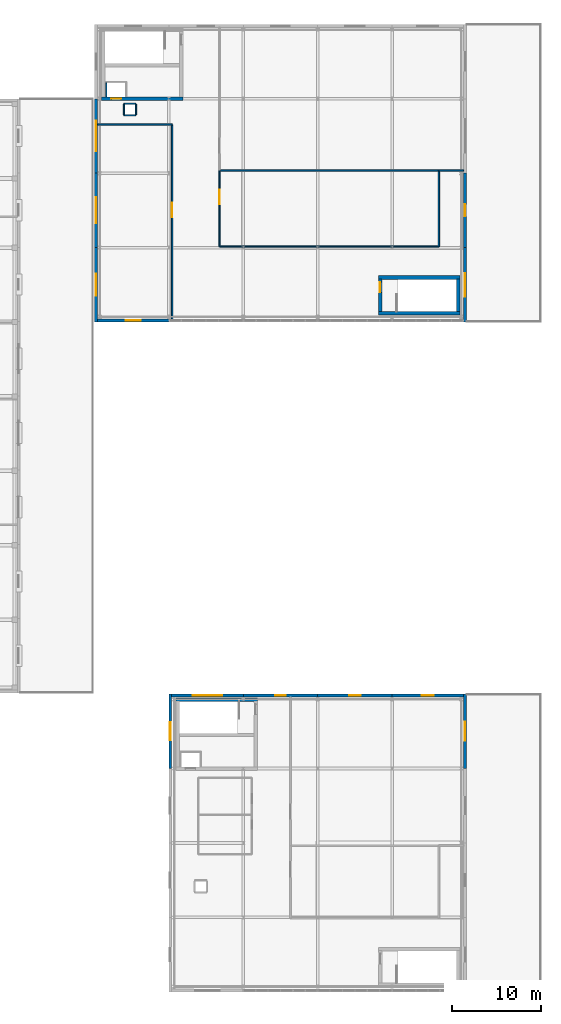
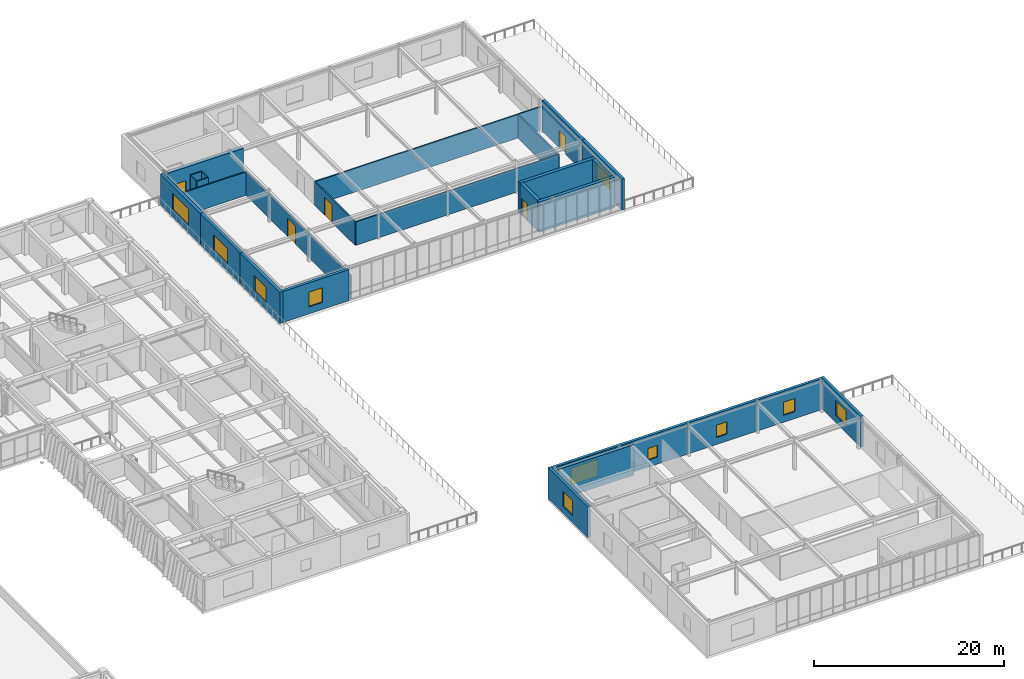
# One storey, part 112 of 127: 30 walls, 11 windows, 5 doors, 16 openings.
"""IFC4 building model written with IfcOpenShell, lengths in metres."""

from ifc_helpers import new_model, si_unit, direction, frame, frame_2d, origin, place, context, subcontext, project, spatial, rectangle, extrude, material, layer, layer_set, type_object, element, fill, save


model = new_model("IFC4")

# Units and contexts
model_context = context("Model", 3, precision=1e-05, world=origin(), true_north=direction((0.0, 1.0)))
body_context = subcontext(model_context, "Body", "Model", "MODEL_VIEW")
ifc_project = project(units=[si_unit("LENGTHUNIT", "METRE"), si_unit("AREAUNIT", "SQUARE_METRE"), si_unit("VOLUMEUNIT", "CUBIC_METRE"), si_unit("PLANEANGLEUNIT", "RADIAN"), si_unit("MASSUNIT", "GRAM", prefix="KILO")], contexts=[model_context])

# Site, building, storey
site_placement = place(None, origin())
site = spatial("IfcSite", under=ifc_project, at=site_placement, CompositionType="ELEMENT")
building_placement = place(site_placement, origin())
building = spatial("IfcBuilding", under=site, at=building_placement, Name="Zayran Congress Hotel", CompositionType="ELEMENT")
storey_placement = place(building_placement, frame((0.0, 0.0, 10.800048828125)))
storey = spatial("IfcBuildingStorey", under=building, at=storey_placement, Name="L02", CompositionType="ELEMENT", Elevation=10.800048828125)

# Wall, opening, window
ifc_material_1 = material(Name="Hajar Ma'ani limestone and insulated concrete C32/40", Category="masonry")
ifc_layer_1 = layer(ifc_material_1, 0.340087890625)
ifc_layer_set_1 = layer_set([ifc_layer_1], Name="Hajar Ma'ani limestone and insulated concrete C32/40")
wall_type_1 = type_object("IfcWallType", Name="WL-EX-340", PredefinedType="SOLIDWALL", material=ifc_layer_set_1)
wall_1_placement = place(storey_placement, frame((151.199951171875, 84.570068359375, 0.0), z_axis=(0.0, 0.0, 1.0), x_axis=(-1.0, 0.0, 0.0)))
wall_1 = element("IfcWall", 1, at=wall_1_placement, inside=storey, type_object=wall_type_1, Name="EW-V2-S-L02-0", PredefinedType="SOLIDWALL", context=body_context, shape_type="SweptSolid", body=[
    extrude(rectangle(XDim=8.06005859375, YDim=0.340087890625, at=frame_2d((4.030029296875, 0.0))), origin(), (0.0, 0.0, 1.0), 4.0),
])
opening_1_placement = place(wall_1_placement, frame((3.18994140625, 0.0, 0.89990234375)))
opening_1 = element("IfcOpeningElement", 2, at=opening_1_placement, cuts=wall_1, Name="Opening WN-36", PredefinedType="OPENING", context=body_context, shape_type="SweptSolid", body=[
    extrude(rectangle(XDim=1.679931640625, YDim=1.89990234375, at=frame_2d((0.83984375, 0.949951171875))), frame((0.0, 0.179931640625, 0.0), z_axis=(0.0, -1.0, 0.0), x_axis=(1.0, 0.0, 0.0)), (0.0, 0.0, 1.0), 0.360107421875),
])
ifc_material_2 = material(Name="Anodised aluminium and low-E insulated glass", Category="aluminium")
window_type_1 = type_object("IfcWindowType", Name="TP-WN-36", PartitioningType="DOUBLE_PANEL_VERTICAL", PredefinedType="WINDOW", material=ifc_material_2)
window_1_placement = place(opening_1_placement, origin())
window_1 = element("IfcWindow", 3, at=window_1_placement, inside=storey, type_object=window_type_1, Name="WIN-V2-0042", OverallHeight=1.89990234375, OverallWidth=1.679931640625, PartitioningType="SINGLE_PANEL", PredefinedType="WINDOW", context=body_context, shape_type="SweptSolid", body=[
    extrude(rectangle(XDim=1.679931640625, YDim=1.89990234375, at=frame_2d((0.83984375, 0.949951171875))), frame((0.0, 0.030029296875, 0.0), z_axis=(0.0, -1.0, 0.0), x_axis=(1.0, 0.0, 0.0)), (0.0, 0.0, 1.0), 0.06005859375),
])
fill(opening_1, window_1)

wall_2_placement = place(storey_placement, frame((142.969970703125, 84.39990234375, 0.0), z_axis=(0.0, 0.0, 1.0), x_axis=(0.0, 1.0, 0.0)))
wall_2 = element("IfcWall", 4, at=wall_2_placement, inside=storey, type_object=wall_type_1, Name="EW-V2-W-L02-0", PredefinedType="SOLIDWALL", context=body_context, shape_type="SweptSolid", body=[
    extrude(rectangle(XDim=8.400146484375, YDim=0.340087890625, at=frame_2d((4.2001953125, 0.0))), origin(), (0.0, 0.0, 1.0), 4.0),
])
opening_2_placement = place(wall_2_placement, frame((2.9599609375, 0.0, 0.89990234375)))
opening_2 = element("IfcOpeningElement", 5, at=opening_2_placement, cuts=wall_2, Name="Opening WN-42", PredefinedType="OPENING", context=body_context, shape_type="SweptSolid", body=[
    extrude(rectangle(XDim=2.47998046875, YDim=2.0, at=frame_2d((1.239990234375, 1.0))), frame((0.0, 0.179931640625, 0.0), z_axis=(0.0, -1.0, 0.0), x_axis=(1.0, 0.0, 0.0)), (0.0, 0.0, 1.0), 0.360107421875),
])
window_type_2 = type_object("IfcWindowType", Name="TP-WN-42", PartitioningType="DOUBLE_PANEL_VERTICAL", PredefinedType="WINDOW", material=ifc_material_2)
window_2_placement = place(opening_2_placement, origin())
window_2 = element("IfcWindow", 6, at=window_2_placement, inside=storey, type_object=window_type_2, Name="WIN-V2-0048", OverallHeight=2.0, OverallWidth=2.47998046875, PartitioningType="SINGLE_PANEL", PredefinedType="WINDOW", context=body_context, shape_type="SweptSolid", body=[
    extrude(rectangle(XDim=2.47998046875, YDim=2.0, at=frame_2d((1.239990234375, 1.0))), frame((0.0, 0.030029296875, 0.0), z_axis=(0.0, -1.0, 0.0), x_axis=(1.0, 0.0, 0.0)), (0.0, 0.0, 1.0), 0.06005859375),
])
fill(opening_2, window_2)

wall_3_placement = place(storey_placement, frame((184.6298828125, 92.800048828125, 0.0), z_axis=(0.0, 0.0, 1.0), x_axis=(0.0, -1.0, 0.0)))
wall_3 = element("IfcWall", 7, at=wall_3_placement, inside=storey, type_object=wall_type_1, Name="EW-V2-E-L02-0", PredefinedType="SOLIDWALL", context=body_context, shape_type="SweptSolid", body=[
    extrude(rectangle(XDim=8.400146484375, YDim=0.340087890625, at=frame_2d((4.2001953125, 0.0))), origin(), (0.0, 0.0, 1.0), 4.0),
])
opening_3_placement = place(wall_3_placement, frame((2.875, 0.0, 0.89990234375)))
opening_3 = element("IfcOpeningElement", 8, at=opening_3_placement, cuts=wall_3, Name="Opening WN-43", PredefinedType="OPENING", context=body_context, shape_type="SweptSolid", body=[
    extrude(rectangle(XDim=2.64990234375, YDim=2.0, at=frame_2d((1.324951171875, 1.0))), frame((0.0, 0.179931640625, 0.0), z_axis=(0.0, -1.0, 0.0), x_axis=(1.0, 0.0, 0.0)), (0.0, 0.0, 1.0), 0.360107421875),
])
window_type_3 = type_object("IfcWindowType", Name="TP-WN-43", PartitioningType="TRIPLE_PANEL_VERTICAL", PredefinedType="WINDOW", material=ifc_material_2)
window_3_placement = place(opening_3_placement, origin())
window_3 = element("IfcWindow", 9, at=window_3_placement, inside=storey, type_object=window_type_3, Name="WIN-V2-0049", OverallHeight=2.0, OverallWidth=2.64990234375, PartitioningType="SINGLE_PANEL", PredefinedType="WINDOW", context=body_context, shape_type="SweptSolid", body=[
    extrude(rectangle(XDim=2.64990234375, YDim=2.0, at=frame_2d((1.324951171875, 1.0))), frame((0.0, 0.030029296875, 0.0), z_axis=(0.0, -1.0, 0.0), x_axis=(1.0, 0.0, 0.0)), (0.0, 0.0, 1.0), 0.06005859375),
])
fill(opening_3, window_3)

wall_4_placement = place(storey_placement, frame((142.969970703125, 92.800048828125, 0.0), z_axis=(0.0, 0.0, 1.0), x_axis=(0.0, 1.0, 0.0)))
wall_4 = element("IfcWall", 10, at=wall_4_placement, inside=storey, type_object=wall_type_1, Name="EW-V2-W-L02-1", PredefinedType="SOLIDWALL", context=body_context, shape_type="SweptSolid", body=[
    extrude(rectangle(XDim=8.39990234375, YDim=0.340087890625, at=frame_2d((4.199951171875, 0.0))), origin(), (0.0, 0.0, 1.0), 4.0),
])
opening_4_placement = place(wall_4_placement, frame((2.72509765625, 0.0, 0.89990234375)))
opening_4 = element("IfcOpeningElement", 11, at=opening_4_placement, cuts=wall_4, Name="Opening WN-44", PredefinedType="OPENING", context=body_context, shape_type="SweptSolid", body=[
    extrude(rectangle(XDim=2.949951171875, YDim=2.050048828125, at=frame_2d((1.47509765625, 1.02490234375))), frame((0.0, 0.179931640625, 0.0), z_axis=(0.0, -1.0, 0.0), x_axis=(1.0, 0.0, 0.0)), (0.0, 0.0, 1.0), 0.360107421875),
])
window_type_4 = type_object("IfcWindowType", Name="TP-WN-44", PartitioningType="TRIPLE_PANEL_VERTICAL", PredefinedType="WINDOW", material=ifc_material_2)
window_4_placement = place(opening_4_placement, origin())
window_4 = element("IfcWindow", 12, at=window_4_placement, inside=storey, type_object=window_type_4, Name="WIN-V2-0050", OverallHeight=2.050048828125, OverallWidth=2.949951171875, PartitioningType="SINGLE_PANEL", PredefinedType="WINDOW", context=body_context, shape_type="SweptSolid", body=[
    extrude(rectangle(XDim=2.949951171875, YDim=2.050048828125, at=frame_2d((1.47509765625, 1.02490234375))), frame((0.0, 0.030029296875, 0.0), z_axis=(0.0, -1.0, 0.0), x_axis=(1.0, 0.0, 0.0)), (0.0, 0.0, 1.0), 0.06005859375),
])
fill(opening_4, window_4)

# Wall, opening, door
wall_5_placement = place(storey_placement, frame((184.6298828125, 101.199951171875, 0.0), z_axis=(0.0, 0.0, 1.0), x_axis=(0.0, -1.0, 0.0)))
wall_5 = element("IfcWall", 13, at=wall_5_placement, inside=storey, type_object=wall_type_1, Name="EW-V2-E-L02-1", PredefinedType="SOLIDWALL", context=body_context, shape_type="SweptSolid", body=[
    extrude(rectangle(XDim=8.39990234375, YDim=0.340087890625, at=frame_2d((4.199951171875, 0.0))), origin(), (0.0, 0.0, 1.0), 4.0),
])
opening_5_placement = place(wall_5_placement, frame((3.52490234375, 0.0, 0.0)))
opening_5 = element("IfcOpeningElement", 14, at=opening_5_placement, cuts=wall_5, Name="Opening DEX-05", PredefinedType="OPENING", context=body_context, shape_type="SweptSolid", body=[
    extrude(rectangle(XDim=1.35009765625, YDim=2.25, at=frame_2d((0.675048828125, 1.125))), frame((0.0, 0.179931640625, 0.0), z_axis=(0.0, -1.0, 0.0), x_axis=(1.0, 0.0, 0.0)), (0.0, 0.0, 1.0), 0.360107421875),
])
ifc_material_3 = material(Name="Anodised aluminium terrace door", Category="aluminium")
door_type_1 = type_object("IfcDoorType", Name="TP-DEX-05", OperationType="DOUBLE_DOOR_SINGLE_SWING", PredefinedType="DOOR", material=ifc_material_3)
door_1_placement = place(opening_5_placement, origin())
door_1 = element("IfcDoor", 15, at=door_1_placement, inside=storey, type_object=door_type_1, Name="V2 L02 Roof Terrace Door", OperationType="DOUBLE_DOOR_SINGLE_SWING", OverallHeight=2.25, OverallWidth=1.35009765625, PredefinedType="DOOR", context=body_context, shape_type="SweptSolid", body=[
    extrude(rectangle(XDim=1.35009765625, YDim=2.25, at=frame_2d((0.675048828125, 1.125))), frame((0.0, 0.02490234375, 0.0), z_axis=(0.0, -1.0, 0.0), x_axis=(1.0, 0.0, 0.0)), (0.0, 0.0, 1.0), 0.050048828125),
])
fill(opening_5, door_1)

# Wall, opening, window
wall_6_placement = place(storey_placement, frame((142.969970703125, 101.199951171875, 0.0), z_axis=(0.0, 0.0, 1.0), x_axis=(0.0, 1.0, 0.0)))
wall_6 = element("IfcWall", 16, at=wall_6_placement, inside=storey, type_object=wall_type_1, Name="EW-V2-W-L02-2", PredefinedType="SOLIDWALL", context=body_context, shape_type="SweptSolid", body=[
    extrude(rectangle(XDim=8.400146484375, YDim=0.340087890625, at=frame_2d((4.2001953125, 0.0))), origin(), (0.0, 0.0, 1.0), 4.0),
])
opening_6_placement = place(wall_6_placement, frame((2.5, 0.0, 0.89990234375)))
opening_6 = element("IfcOpeningElement", 17, at=opening_6_placement, cuts=wall_6, Name="Opening WN-45", PredefinedType="OPENING", context=body_context, shape_type="SweptSolid", body=[
    extrude(rectangle(XDim=3.39990234375, YDim=2.10009765625, at=frame_2d((1.699951171875, 1.050048828125))), frame((0.0, 0.179931640625, 0.0), z_axis=(0.0, -1.0, 0.0), x_axis=(1.0, 0.0, 0.0)), (0.0, 0.0, 1.0), 0.360107421875),
])
window_type_5 = type_object("IfcWindowType", Name="TP-WN-45", PartitioningType="TRIPLE_PANEL_VERTICAL", PredefinedType="WINDOW", material=ifc_material_2)
window_5_placement = place(opening_6_placement, origin())
window_5 = element("IfcWindow", 18, at=window_5_placement, inside=storey, type_object=window_type_5, Name="WIN-V2-0052", OverallHeight=2.10009765625, OverallWidth=3.39990234375, PartitioningType="SINGLE_PANEL", PredefinedType="WINDOW", context=body_context, shape_type="SweptSolid", body=[
    extrude(rectangle(XDim=3.39990234375, YDim=2.10009765625, at=frame_2d((1.699951171875, 1.050048828125))), frame((0.0, 0.030029296875, 0.0), z_axis=(0.0, -1.0, 0.0), x_axis=(1.0, 0.0, 0.0)), (0.0, 0.0, 1.0), 0.06005859375),
])
fill(opening_6, window_5)

ifc_material_4 = material(Name="Ajlun white limestone and insulated concrete C32/40", Category="masonry")
ifc_layer_2 = layer(ifc_material_4, 0.320068359375)
ifc_layer_set_2 = layer_set([ifc_layer_2], Name="Ajlun white limestone and insulated concrete C32/40")
wall_type_2 = type_object("IfcWallType", Name="WL-EX-320", PredefinedType="SOLIDWALL", material=ifc_layer_set_2)
wall_7_placement = place(storey_placement, frame((151.52001953125, 42.239990234375, 0.0), z_axis=(0.0, 0.0, 1.0), x_axis=(1.0, 0.0, 0.0)))
wall_7 = element("IfcWall", 19, at=wall_7_placement, inside=storey, type_object=wall_type_2, Name="EW-V3-N-L02-0", PredefinedType="SOLIDWALL", context=body_context, shape_type="SweptSolid", body=[
    extrude(rectangle(XDim=8.080078125, YDim=0.320068359375, at=frame_2d((4.0400390625, 0.0))), origin(), (0.0, 0.0, 1.0), 4.0),
])
opening_7_placement = place(wall_7_placement, frame((2.389892578125, 0.0, 0.89990234375)))
opening_7 = element("IfcOpeningElement", 20, at=opening_7_placement, cuts=wall_7, Name="Opening WN-30", PredefinedType="OPENING", context=body_context, shape_type="SweptSolid", body=[
    extrude(rectangle(XDim=3.300048828125, YDim=2.14990234375, at=frame_2d((1.64990234375, 1.074951171875))), frame((0.0, 0.169921875, 0.0), z_axis=(0.0, -1.0, 0.0), x_axis=(1.0, 0.0, 0.0)), (0.0, 0.0, 1.0), 0.340087890625),
])
window_type_6 = type_object("IfcWindowType", Name="TP-WN-30", PartitioningType="TRIPLE_PANEL_VERTICAL", PredefinedType="WINDOW", material=ifc_material_2)
window_6_placement = place(opening_7_placement, origin())
window_6 = element("IfcWindow", 21, at=window_6_placement, inside=storey, type_object=window_type_6, Name="WIN-V3-0087", OverallHeight=2.14990234375, OverallWidth=3.300048828125, PartitioningType="SINGLE_PANEL", PredefinedType="WINDOW", context=body_context, shape_type="SweptSolid", body=[
    extrude(rectangle(XDim=3.300048828125, YDim=2.14990234375, at=frame_2d((1.64990234375, 1.074951171875))), frame((0.0, 0.030029296875, 0.0), z_axis=(0.0, -1.0, 0.0), x_axis=(1.0, 0.0, 0.0)), (0.0, 0.0, 1.0), 0.06005859375),
])
fill(opening_7, window_6)

wall_8_placement = place(storey_placement, frame((159.60009765625, 42.239990234375, 0.0), z_axis=(0.0, 0.0, 1.0), x_axis=(1.0, 0.0, 0.0)))
wall_8 = element("IfcWall", 22, at=wall_8_placement, inside=storey, type_object=wall_type_2, Name="EW-V3-N-L02-1", PredefinedType="SOLIDWALL", context=body_context, shape_type="SweptSolid", body=[
    extrude(rectangle(XDim=8.39990234375, YDim=0.320068359375, at=frame_2d((4.199951171875, 0.0))), origin(), (0.0, 0.0, 1.0), 4.0),
])
opening_8_placement = place(wall_8_placement, frame((3.610107421875, 0.0, 0.89990234375)))
opening_8 = element("IfcOpeningElement", 23, at=opening_8_placement, cuts=wall_8, Name="Opening WN-31", PredefinedType="OPENING", context=body_context, shape_type="SweptSolid", body=[
    extrude(rectangle(XDim=1.179931640625, YDim=1.5, at=frame_2d((0.58984375, 0.75))), frame((0.0, 0.169921875, 0.0), z_axis=(0.0, -1.0, 0.0), x_axis=(1.0, 0.0, 0.0)), (0.0, 0.0, 1.0), 0.340087890625),
])
window_type_7 = type_object("IfcWindowType", Name="TP-WN-31", PartitioningType="SINGLE_PANEL", PredefinedType="WINDOW", material=ifc_material_2)
window_7_placement = place(opening_8_placement, origin())
window_7 = element("IfcWindow", 24, at=window_7_placement, inside=storey, type_object=window_type_7, Name="WIN-V3-0088", OverallHeight=1.5, OverallWidth=1.179931640625, PartitioningType="SINGLE_PANEL", PredefinedType="WINDOW", context=body_context, shape_type="SweptSolid", body=[
    extrude(rectangle(XDim=1.179931640625, YDim=1.5, at=frame_2d((0.58984375, 0.75))), frame((0.0, 0.030029296875, 0.0), z_axis=(0.0, -1.0, 0.0), x_axis=(1.0, 0.0, 0.0)), (0.0, 0.0, 1.0), 0.06005859375),
])
fill(opening_8, window_7)

wall_9_placement = place(storey_placement, frame((168.0, 42.239990234375, 0.0), z_axis=(0.0, 0.0, 1.0), x_axis=(1.0, 0.0, 0.0)))
wall_9 = element("IfcWall", 25, at=wall_9_placement, inside=storey, type_object=wall_type_2, Name="EW-V3-N-L02-2", PredefinedType="SOLIDWALL", context=body_context, shape_type="SweptSolid", body=[
    extrude(rectangle(XDim=8.39990234375, YDim=0.320068359375, at=frame_2d((4.199951171875, 0.0))), origin(), (0.0, 0.0, 1.0), 4.0),
])
opening_9_placement = place(wall_9_placement, frame((3.56005859375, 0.0, 0.89990234375)))
opening_9 = element("IfcOpeningElement", 26, at=opening_9_placement, cuts=wall_9, Name="Opening WN-32", PredefinedType="OPENING", context=body_context, shape_type="SweptSolid", body=[
    extrude(rectangle(XDim=1.280029296875, YDim=1.60009765625, at=frame_2d((0.64013671875, 0.800048828125))), frame((0.0, 0.169921875, 0.0), z_axis=(0.0, -1.0, 0.0), x_axis=(1.0, 0.0, 0.0)), (0.0, 0.0, 1.0), 0.340087890625),
])
window_type_8 = type_object("IfcWindowType", Name="TP-WN-32", PartitioningType="SINGLE_PANEL", PredefinedType="WINDOW", material=ifc_material_2)
window_8_placement = place(opening_9_placement, origin())
window_8 = element("IfcWindow", 27, at=window_8_placement, inside=storey, type_object=window_type_8, Name="WIN-V3-0089", OverallHeight=1.60009765625, OverallWidth=1.280029296875, PartitioningType="SINGLE_PANEL", PredefinedType="WINDOW", context=body_context, shape_type="SweptSolid", body=[
    extrude(rectangle(XDim=1.280029296875, YDim=1.60009765625, at=frame_2d((0.64013671875, 0.800048828125))), frame((0.0, 0.030029296875, 0.0), z_axis=(0.0, -1.0, 0.0), x_axis=(1.0, 0.0, 0.0)), (0.0, 0.0, 1.0), 0.06005859375),
])
fill(opening_9, window_8)

wall_10_placement = place(storey_placement, frame((176.39990234375, 42.239990234375, 0.0), z_axis=(0.0, 0.0, 1.0), x_axis=(1.0, 0.0, 0.0)))
wall_10 = element("IfcWall", 28, at=wall_10_placement, inside=storey, type_object=wall_type_2, Name="EW-V3-N-L02-3", PredefinedType="SOLIDWALL", context=body_context, shape_type="SweptSolid", body=[
    extrude(rectangle(XDim=8.080078125, YDim=0.320068359375, at=frame_2d((4.0400390625, 0.0))), origin(), (0.0, 0.0, 1.0), 4.0),
])
opening_10_placement = place(wall_10_placement, frame((3.35009765625, 0.0, 0.89990234375)))
opening_10 = element("IfcOpeningElement", 29, at=opening_10_placement, cuts=wall_10, Name="Opening WN-33", PredefinedType="OPENING", context=body_context, shape_type="SweptSolid", body=[
    extrude(rectangle(XDim=1.3798828125, YDim=1.699951171875, at=frame_2d((0.68994140625, 0.85009765625))), frame((0.0, 0.169921875, 0.0), z_axis=(0.0, -1.0, 0.0), x_axis=(1.0, 0.0, 0.0)), (0.0, 0.0, 1.0), 0.340087890625),
])
window_type_9 = type_object("IfcWindowType", Name="TP-WN-33", PartitioningType="SINGLE_PANEL", PredefinedType="WINDOW", material=ifc_material_2)
window_9_placement = place(opening_10_placement, origin())
window_9 = element("IfcWindow", 30, at=window_9_placement, inside=storey, type_object=window_type_9, Name="WIN-V3-0090", OverallHeight=1.699951171875, OverallWidth=1.3798828125, PartitioningType="SINGLE_PANEL", PredefinedType="WINDOW", context=body_context, shape_type="SweptSolid", body=[
    extrude(rectangle(XDim=1.3798828125, YDim=1.699951171875, at=frame_2d((0.68994140625, 0.85009765625))), frame((0.0, 0.030029296875, 0.0), z_axis=(0.0, -1.0, 0.0), x_axis=(1.0, 0.0, 0.0)), (0.0, 0.0, 1.0), 0.06005859375),
])
fill(opening_10, window_9)

wall_11_placement = place(storey_placement, frame((151.360107421875, 34.0, 0.0), z_axis=(0.0, 0.0, 1.0), x_axis=(0.0, 1.0, 0.0)))
wall_11 = element("IfcWall", 31, at=wall_11_placement, inside=storey, type_object=wall_type_2, Name="EW-V3-W-L02-3", PredefinedType="SOLIDWALL", context=body_context, shape_type="SweptSolid", body=[
    extrude(rectangle(XDim=8.39990234375, YDim=0.320068359375, at=frame_2d((4.199951171875, 0.0))), origin(), (0.0, 0.0, 1.0), 4.0),
])
opening_11_placement = place(wall_11_placement, frame((3.175048828125, 0.0, 0.89990234375)))
opening_11 = element("IfcOpeningElement", 32, at=opening_11_placement, cuts=wall_11, Name="Opening WN-39", PredefinedType="OPENING", context=body_context, shape_type="SweptSolid", body=[
    extrude(rectangle(XDim=2.050048828125, YDim=1.949951171875, at=frame_2d((1.02490234375, 0.97509765625))), frame((0.0, 0.169921875, 0.0), z_axis=(0.0, -1.0, 0.0), x_axis=(1.0, 0.0, 0.0)), (0.0, 0.0, 1.0), 0.340087890625),
])
window_type_10 = type_object("IfcWindowType", Name="TP-WN-39", PartitioningType="DOUBLE_PANEL_VERTICAL", PredefinedType="WINDOW", material=ifc_material_2)
window_10_placement = place(opening_11_placement, origin())
window_10 = element("IfcWindow", 33, at=window_10_placement, inside=storey, type_object=window_type_10, Name="WIN-V3-0097", OverallHeight=1.949951171875, OverallWidth=2.050048828125, PartitioningType="SINGLE_PANEL", PredefinedType="WINDOW", context=body_context, shape_type="SweptSolid", body=[
    extrude(rectangle(XDim=2.050048828125, YDim=1.949951171875, at=frame_2d((1.02490234375, 0.97509765625))), frame((0.0, 0.030029296875, 0.0), z_axis=(0.0, -1.0, 0.0), x_axis=(1.0, 0.0, 0.0)), (0.0, 0.0, 1.0), 0.06005859375),
])
fill(opening_11, window_10)

wall_12_placement = place(storey_placement, frame((184.639892578125, 42.39990234375, 0.0), z_axis=(0.0, 0.0, 1.0), x_axis=(0.0, -1.0, 0.0)))
wall_12 = element("IfcWall", 34, at=wall_12_placement, inside=storey, type_object=wall_type_2, Name="EW-V3-E-L02-3", PredefinedType="SOLIDWALL", context=body_context, shape_type="SweptSolid", body=[
    extrude(rectangle(XDim=8.39990234375, YDim=0.320068359375, at=frame_2d((4.199951171875, 0.0))), origin(), (0.0, 0.0, 1.0), 4.0),
])
opening_12_placement = place(wall_12_placement, frame((3.110107421875, 0.0, 0.89990234375)))
opening_12 = element("IfcOpeningElement", 35, at=opening_12_placement, cuts=wall_12, Name="Opening WN-40", PredefinedType="OPENING", context=body_context, shape_type="SweptSolid", body=[
    extrude(rectangle(XDim=2.179931640625, YDim=1.949951171875, at=frame_2d((1.08984375, 0.97509765625))), frame((0.0, 0.169921875, 0.0), z_axis=(0.0, -1.0, 0.0), x_axis=(1.0, 0.0, 0.0)), (0.0, 0.0, 1.0), 0.340087890625),
])
window_type_11 = type_object("IfcWindowType", Name="TP-WN-40", PartitioningType="DOUBLE_PANEL_VERTICAL", PredefinedType="WINDOW", material=ifc_material_2)
window_11_placement = place(opening_12_placement, origin())
window_11 = element("IfcWindow", 36, at=window_11_placement, inside=storey, type_object=window_type_11, Name="WIN-V3-0098", OverallHeight=1.949951171875, OverallWidth=2.179931640625, PartitioningType="SINGLE_PANEL", PredefinedType="WINDOW", context=body_context, shape_type="SweptSolid", body=[
    extrude(rectangle(XDim=2.179931640625, YDim=1.949951171875, at=frame_2d((1.08984375, 0.97509765625))), frame((0.0, 0.030029296875, 0.0), z_axis=(0.0, -1.0, 0.0), x_axis=(1.0, 0.0, 0.0)), (0.0, 0.0, 1.0), 0.06005859375),
])
fill(opening_12, window_11)

# Wall, opening, door
ifc_material_5 = material(Name="Concrete C40/50", Category="concrete")
ifc_layer_3 = layer(ifc_material_5, 0.39990234375)
ifc_layer_set_3 = layer_set([ifc_layer_3], Name="Concrete C40/50")
wall_type_3 = type_object("IfcWallType", Name="WL-SH-400", PredefinedType="SHEAR", material=ifc_layer_set_3)
wall_13_placement = place(storey_placement, frame((143.60009765625, 109.60009765625, 0.0), z_axis=(0.0, 0.0, 1.0), x_axis=(1.0, 0.0, 0.0)))
wall_13 = element("IfcWall", 37, at=wall_13_placement, inside=storey, type_object=wall_type_3, Name="CWALL-C-V2W-L02-S", PredefinedType="SHEAR", context=body_context, shape_type="SweptSolid", body=[
    extrude(rectangle(XDim=9.199951171875, YDim=0.39990234375, at=frame_2d((4.60009765625, 0.0))), origin(), (0.0, 0.0, 1.0), 3.919921875),
])
opening_13_placement = place(wall_13_placement, frame((1.10009765625, 0.0, 0.0)))
opening_13 = element("IfcOpeningElement", 38, at=opening_13_placement, cuts=wall_13, Name="Opening LD-PL07", PredefinedType="OPENING", context=body_context, shape_type="SweptSolid", body=[
    extrude(rectangle(XDim=1.10009765625, YDim=2.199951171875, at=frame_2d((0.550048828125, 1.10009765625))), frame((0.0, 0.2099609375, 0.0), z_axis=(0.0, -1.0, 0.0), x_axis=(1.0, 0.0, 0.0)), (0.0, 0.0, 1.0), 0.419921875),
])
ifc_material_6 = material(Name="Brushed stainless steel sliding lift landing door", Category="steel")
door_type_2 = type_object("IfcDoorType", Name="TP-DR-LD-01", OperationType="DOUBLE_DOOR_SLIDING", PredefinedType="DOOR", material=ifc_material_6)
door_2_placement = place(opening_13_placement, origin())
door_2 = element("IfcDoor", 39, at=door_2_placement, inside=storey, type_object=door_type_2, Name="Lift PL-07 Sliding Landing Door L02", OperationType="DOUBLE_DOOR_SLIDING", OverallHeight=2.199951171875, OverallWidth=1.10009765625, PredefinedType="DOOR", context=body_context, shape_type="SweptSolid", body=[
    extrude(rectangle(XDim=1.10009765625, YDim=2.199951171875, at=frame_2d((0.550048828125, 1.10009765625))), frame((0.0, 0.02490234375, 0.0), z_axis=(0.0, -1.0, 0.0), x_axis=(1.0, 0.0, 0.0)), (0.0, 0.0, 1.0), 0.050048828125),
])
fill(opening_13, door_2)

# Walls
for number, where, z_axis, x_axis, name in (
    (40, (174.85009765625, 85.39990234375, 0.0), (0.0, 0.0, 1.0), (1.0, 0.0, 0.0), "CWALL-C-V2E-L02-S"),
    (41, (184.050048828125, 89.425048828125, 0.0), (0.0, 0.0, 1.0), (-1.0, 0.0, 0.0), "CWALL-C-V2E-L02-N"),
):
    element("IfcWall", number, at=place(storey_placement, frame(where, z_axis=z_axis, x_axis=x_axis)), inside=storey, type_object=wall_type_3, Name=name, PredefinedType="SHEAR", context=body_context, shape_type="SweptSolid", body=[
        extrude(rectangle(XDim=9.199951171875, YDim=0.39990234375, at=frame_2d((4.60009765625, 0.0))), origin(), (0.0, 0.0, 1.0), 3.919921875),
    ])

# Wall, opening, door
wall_14_placement = place(storey_placement, frame((175.050048828125, 89.239990234375, 0.0), z_axis=(0.0, 0.0, 1.0), x_axis=(0.0, -1.0, 0.0)))
wall_14 = element("IfcWall", 42, at=wall_14_placement, inside=storey, type_object=wall_type_3, Name="CWALL-C-V2E-L02-W", PredefinedType="SHEAR", context=body_context, shape_type="SweptSolid", body=[
    extrude(rectangle(XDim=3.639892578125, YDim=0.39990234375, at=frame_2d((1.81982421875, 0.0))), origin(), (0.0, 0.0, 1.0), 3.919921875),
])
opening_14_placement = place(wall_14_placement, frame((0.35009765625, 0.0, 0.0)))
opening_14 = element("IfcOpeningElement", 43, at=opening_14_placement, cuts=wall_14, Name="Opening DR-FD-90", PredefinedType="OPENING", context=body_context, shape_type="SweptSolid", body=[
    extrude(rectangle(XDim=1.14990234375, YDim=2.199951171875, at=frame_2d((0.574951171875, 1.10009765625))), frame((0.0, 0.2099609375, 0.0), z_axis=(0.0, -1.0, 0.0), x_axis=(1.0, 0.0, 0.0)), (0.0, 0.0, 1.0), 0.419921875),
])
ifc_material_7 = material(Name="Painted steel fire door assembly", Category="steel")
door_type_3 = type_object("IfcDoorType", Name="TP-DR-FD-90", OperationType="NOTDEFINED", PredefinedType="DOOR", material=ifc_material_7)
door_3_placement = place(opening_14_placement, origin())
door_3 = element("IfcDoor", 44, at=door_3_placement, inside=storey, type_object=door_type_3, Name="ST-10 Exit Stair Door L02", OperationType="SINGLE_SWING_RIGHT", OverallHeight=2.199951171875, OverallWidth=1.14990234375, PredefinedType="DOOR", context=body_context, shape_type="SweptSolid", body=[
    extrude(rectangle(XDim=1.14990234375, YDim=2.199951171875, at=frame_2d((0.574951171875, 1.10009765625))), frame((0.0, 0.02490234375, 0.0), z_axis=(0.0, -1.0, 0.0), x_axis=(1.0, 0.0, 0.0)), (0.0, 0.0, 1.0), 0.050048828125),
])
fill(opening_14, door_3)

# Walls
wall_15_placement = place(storey_placement, frame((183.85009765625, 85.60009765625, 0.0), z_axis=(0.0, 0.0, 1.0), x_axis=(0.0, 1.0, 0.0)))
element("IfcWall", 45, at=wall_15_placement, inside=storey, type_object=wall_type_3, Name="CWALL-C-V2E-L02-E", PredefinedType="SHEAR", context=body_context, shape_type="SweptSolid", body=[
    extrude(rectangle(XDim=3.639892578125, YDim=0.39990234375, at=frame_2d((1.81982421875, 0.0))), origin(), (0.0, 0.0, 1.0), 3.919921875),
])
wall_16_placement = place(storey_placement, frame((161.199951171875, 41.784912109375, 0.0), z_axis=(0.0, 0.0, 1.0), x_axis=(-1.0, 0.0, 0.0)))
element("IfcWall", 46, at=wall_16_placement, inside=storey, type_object=wall_type_3, Name="CWALL-C-V3W-L02-N", PredefinedType="SHEAR", context=body_context, shape_type="SweptSolid", body=[
    extrude(rectangle(XDim=9.199951171875, YDim=0.39990234375, at=frame_2d((4.60009765625, 0.0))), origin(), (0.0, 0.0, 1.0), 3.919921875),
])

# Wall, opening, door
ifc_material_8 = material(Name="Acoustic twin-stud gypsum partition", Category="gypsum")
ifc_layer_4 = layer(ifc_material_8, 0.159912109375)
ifc_layer_set_4 = layer_set([ifc_layer_4], Name="Acoustic twin-stud gypsum partition")
wall_type_4 = type_object("IfcWallType", Name="WL-PT-160", PredefinedType="PARTITIONING", material=ifc_layer_set_4)
wall_17_placement = place(storey_placement, frame((156.919921875, 92.919921875, 0.0), z_axis=(0.0, 0.0, 1.0), x_axis=(0.0, 1.0, 0.0)))
wall_17 = element("IfcWall", 47, at=wall_17_placement, inside=storey, type_object=wall_type_4, Name="IW-L02-0498", PredefinedType="PARTITIONING", context=body_context, shape_type="SweptSolid", body=[
    extrude(rectangle(XDim=8.56005859375, YDim=0.159912109375, at=frame_2d((4.280029296875, 0.0))), origin(), (0.0, 0.0, 1.0), 3.02001953125),
])
opening_15_placement = place(wall_17_placement, frame((4.783935546875, 0.0, 0.0)))
opening_15 = element("IfcOpeningElement", 48, at=opening_15_placement, cuts=wall_17, Name="Opening DR-MT-02", PredefinedType="OPENING", context=body_context, shape_type="SweptSolid", body=[
    extrude(rectangle(XDim=1.60009765625, YDim=2.300048828125, at=frame_2d((0.800048828125, 1.14990234375))), frame((0.0, 0.08984375, 0.0), z_axis=(0.0, -1.0, 0.0), x_axis=(1.0, 0.0, 0.0)), (0.0, 0.0, 1.0), 0.179931640625),
])
ifc_material_9 = material(Name="Double acoustic timber boardroom door", Category="wood")
door_type_4 = type_object("IfcDoorType", Name="TP-DR-MT-02", OperationType="DOUBLE_DOOR_SINGLE_SWING", PredefinedType="DOOR", material=ifc_material_9)
door_4_placement = place(opening_15_placement, origin())
door_4 = element("IfcDoor", 49, at=door_4_placement, inside=storey, type_object=door_type_4, Name="Executive Banquet Salon East Door", OperationType="DOUBLE_DOOR_SINGLE_SWING", OverallHeight=2.300048828125, OverallWidth=1.60009765625, PredefinedType="DOOR", context=body_context, shape_type="SweptSolid", body=[
    extrude(rectangle(XDim=1.60009765625, YDim=2.300048828125, at=frame_2d((0.800048828125, 1.14990234375))), frame((0.0, 0.02490234375, 0.0), z_axis=(0.0, -1.0, 0.0), x_axis=(1.0, 0.0, 0.0)), (0.0, 0.0, 1.0), 0.050048828125),
])
fill(opening_15, door_4)

wall_18_placement = place(storey_placement, frame((151.580078125, 84.580078125, 0.0), z_axis=(0.0, 0.0, 1.0), x_axis=(0.0, 1.0, 0.0)))
wall_18 = element("IfcWall", 50, at=wall_18_placement, inside=storey, type_object=wall_type_4, Name="IW-L02-0500", PredefinedType="PARTITIONING", context=body_context, shape_type="SweptSolid", body=[
    extrude(rectangle(XDim=22.099853515625, YDim=0.159912109375, at=frame_2d((11.0498046875, 0.0))), origin(), (0.0, 0.0, 1.0), 3.02001953125),
])
opening_16_placement = place(wall_18_placement, frame((11.62890625, 0.0, 0.0)))
opening_16 = element("IfcOpeningElement", 51, at=opening_16_placement, cuts=wall_18, Name="Opening DR-PL-01", PredefinedType="OPENING", context=body_context, shape_type="SweptSolid", body=[
    extrude(rectangle(XDim=1.64990234375, YDim=2.35009765625, at=frame_2d((0.824951171875, 1.175048828125))), frame((0.0, 0.08984375, 0.0), z_axis=(0.0, -1.0, 0.0), x_axis=(1.0, 0.0, 0.0)), (0.0, 0.0, 1.0), 0.179931640625),
])
ifc_material_10 = material(Name="Painted steel plant room double fire door", Category="steel")
door_type_5 = type_object("IfcDoorType", Name="TP-DR-PL-01", OperationType="DOUBLE_DOOR_SINGLE_SWING", PredefinedType="DOOR", material=ifc_material_10)
door_5_placement = place(opening_16_placement, origin())
door_5 = element("IfcDoor", 52, at=door_5_placement, inside=storey, type_object=door_type_5, Name="Ballroom Air Handling Plant L02 Door", OperationType="DOUBLE_DOOR_SINGLE_SWING", OverallHeight=2.35009765625, OverallWidth=1.64990234375, PredefinedType="DOOR", context=body_context, shape_type="SweptSolid", body=[
    extrude(rectangle(XDim=1.64990234375, YDim=2.35009765625, at=frame_2d((0.824951171875, 1.175048828125))), frame((0.0, 0.02490234375, 0.0), z_axis=(0.0, -1.0, 0.0), x_axis=(1.0, 0.0, 0.0)), (0.0, 0.0, 1.0), 0.050048828125),
])
fill(opening_16, door_5)

# Walls
for number, where, z_axis, x_axis, name in (
    (53, (156.919921875, 92.919921875, 0.0), (0.0, 0.0, 1.0), (1.0, 0.0, 0.0), "IW-L02-1803"),
    (54, (156.919921875, 101.47998046875, 0.0), (0.0, 0.0, 1.0), (1.0, 0.0, 0.0), "IW-L02-1804"),
):
    element("IfcWall", number, at=place(storey_placement, frame(where, z_axis=z_axis, x_axis=x_axis)), inside=storey, type_object=wall_type_4, Name=name, PredefinedType="PARTITIONING", context=body_context, shape_type="SweptSolid", body=[
        extrude(rectangle(XDim=24.760009765625, YDim=0.159912109375, at=frame_2d((12.3798828125, 0.0))), origin(), (0.0, 0.0, 1.0), 3.02001953125),
    ])
wall_19_placement = place(storey_placement, frame((181.679931640625, 92.919921875, 0.0), z_axis=(0.0, 0.0, 1.0), x_axis=(0.0, 1.0, 0.0)))
element("IfcWall", 55, at=wall_19_placement, inside=storey, type_object=wall_type_4, Name="IW-L02-1805", PredefinedType="PARTITIONING", context=body_context, shape_type="SweptSolid", body=[
    extrude(rectangle(XDim=8.56005859375, YDim=0.159912109375, at=frame_2d((4.280029296875, 0.0))), origin(), (0.0, 0.0, 1.0), 3.02001953125),
])
wall_20_placement = place(storey_placement, frame((181.679931640625, 101.52001953125, 0.0), z_axis=(0.0, 0.0, 1.0), x_axis=(1.0, 0.0, 0.0)))
element("IfcWall", 56, at=wall_20_placement, inside=storey, type_object=wall_type_4, Name="IW-L02-1806", PredefinedType="PARTITIONING", context=body_context, shape_type="SweptSolid", body=[
    extrude(rectangle(XDim=2.780029296875, YDim=0.159912109375, at=frame_2d((1.39013671875, 0.0))), origin(), (0.0, 0.0, 1.0), 3.02001953125),
])
wall_21_placement = place(storey_placement, frame((143.139892578125, 106.679931640625, 0.0), z_axis=(0.0, 0.0, 1.0), x_axis=(1.0, 0.0, 0.0)))
element("IfcWall", 57, at=wall_21_placement, inside=storey, type_object=wall_type_4, Name="IW-L02-1807", PredefinedType="PARTITIONING", context=body_context, shape_type="SweptSolid", body=[
    extrude(rectangle(XDim=8.440185546875, YDim=0.159912109375, at=frame_2d((4.22021484375, 0.0))), origin(), (0.0, 0.0, 1.0), 3.02001953125),
])
ifc_material_11 = material(Name="Hospitality guestroom acoustic partition", Category="gypsum")
ifc_layer_5 = layer(ifc_material_11, 0.139892578125)
ifc_layer_set_5 = layer_set([ifc_layer_5], Name="Hospitality guestroom acoustic partition")
wall_type_5 = type_object("IfcWallType", Name="WL-PT-140", PredefinedType="PARTITIONING", material=ifc_layer_set_5)
wall_22_placement = place(storey_placement, frame((144.1298828125, 109.800048828125, 0.0), z_axis=(0.0, 0.0, 1.0), x_axis=(0.0, 1.0, 0.0)))
element("IfcWall", 58, at=wall_22_placement, inside=storey, type_object=wall_type_5, Name="LSHW-C-V2W-L02-W", PredefinedType="PARTITIONING", context=body_context, shape_type="SweptSolid", body=[
    extrude(rectangle(XDim=1.599853515625, YDim=0.139892578125, at=frame_2d((0.7998046875, 0.0))), origin(), (0.0, 0.0, 1.0), 3.070068359375),
])
for number, where, z_axis, x_axis, name in (
    (59, (146.1298828125, 107.72998046875, 0.0), (0.0, 0.0, 1.0), (1.0, 0.0, 0.0), "RSWL-V2-L02-011-S"),
    (60, (147.489990234375, 109.050048828125, 0.0), (0.0, 0.0, 1.0), (-1.0, 0.0, 0.0), "RSWL-V2-L02-011-N"),
):
    element("IfcWall", number, at=place(storey_placement, frame(where, z_axis=z_axis, x_axis=x_axis)), inside=storey, type_object=wall_type_5, Name=name, PredefinedType="PARTITIONING", context=body_context, shape_type="SweptSolid", body=[
        extrude(rectangle(XDim=1.360107421875, YDim=0.139892578125, at=frame_2d((0.68017578125, 0.0))), origin(), (0.0, 0.0, 1.0), 3.0400390625),
    ])
for number, where, z_axis, x_axis, name in (
    (61, (146.1298828125, 108.97998046875, 0.0), (0.0, 0.0, 1.0), (0.0, -1.0, 0.0), "RSWL-V2-L02-011-W"),
    (62, (147.489990234375, 107.800048828125, 0.0), (0.0, 0.0, 1.0), (0.0, 1.0, 0.0), "RSWL-V2-L02-011-E"),
):
    element("IfcWall", number, at=place(storey_placement, frame(where, z_axis=z_axis, x_axis=x_axis)), inside=storey, type_object=wall_type_5, Name=name, PredefinedType="PARTITIONING", context=body_context, shape_type="SweptSolid", body=[
        extrude(rectangle(XDim=1.179931640625, YDim=0.139892578125, at=frame_2d((0.58984375, 0.0))), origin(), (0.0, 0.0, 1.0), 3.0400390625),
    ])

save(model, "model.ifc")
